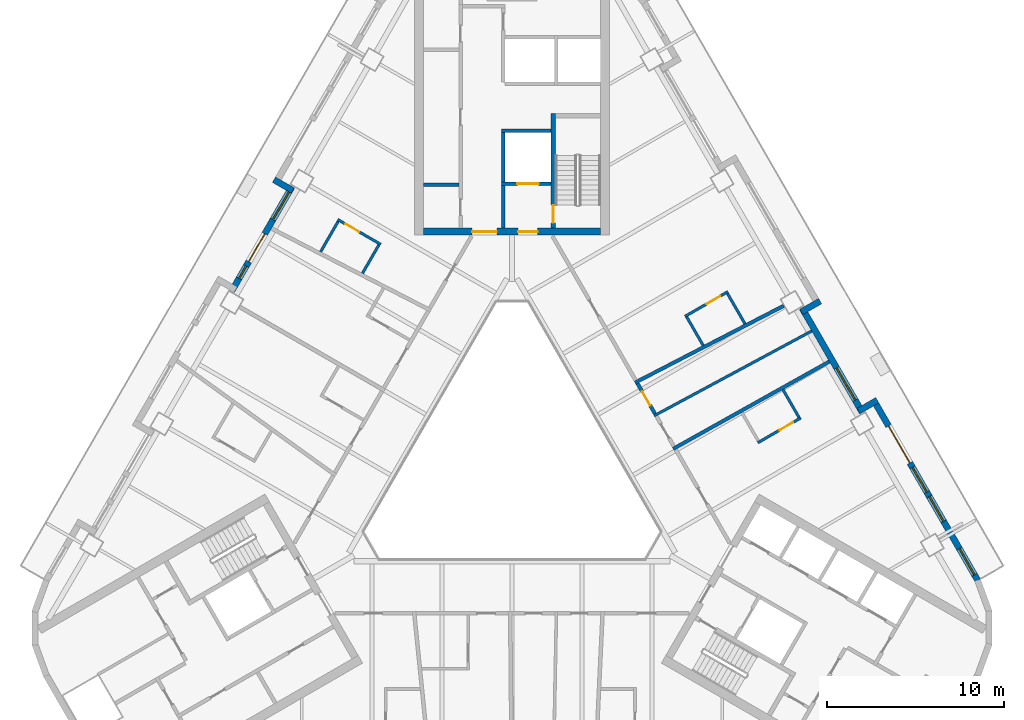
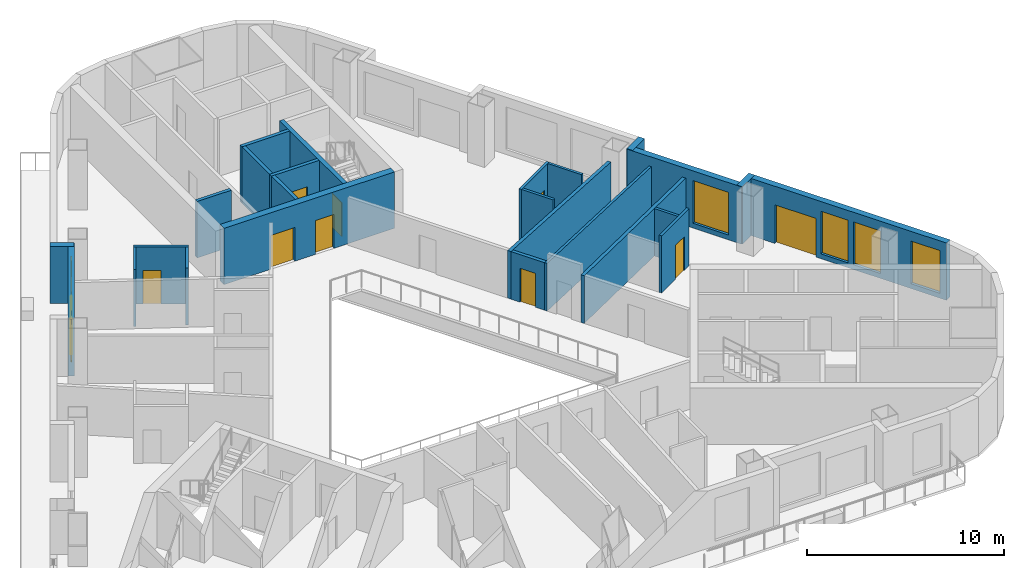
# One storey, part 6 of 14: 25 walls, 10 doors, 6 windows, 16 openings.
"""IFC4 building model written with IfcOpenShell, lengths in metres."""

from ifc_helpers import new_model, si_unit, direction, frame, frame_2d, origin, place, context, subcontext, project, spatial, rectangle, extrude, material, layer, layer_set, type_object, element, fill, save


model = new_model("IFC4")

# Units and contexts
model_context = context("Model", 3, precision=1e-05, world=origin(), true_north=direction((0.0, 1.0)))
body_context = subcontext(model_context, "Body", "Model", "MODEL_VIEW")
ifc_project = project(units=[si_unit("LENGTHUNIT", "METRE"), si_unit("AREAUNIT", "SQUARE_METRE"), si_unit("VOLUMEUNIT", "CUBIC_METRE"), si_unit("PLANEANGLEUNIT", "RADIAN"), si_unit("MASSUNIT", "GRAM", prefix="KILO")], contexts=[model_context])

# Site, building, storey
site_placement = place(None, origin())
site = spatial("IfcSite", under=ifc_project, at=site_placement, CompositionType="ELEMENT")
building_placement = place(site_placement, origin())
building = spatial("IfcBuilding", under=site, at=building_placement, Name="Apuvela Tower Hotel", CompositionType="ELEMENT")
storey_placement = place(building_placement, frame((0.0, 0.0, 72.39990234375)))
storey = spatial("IfcBuildingStorey", under=building, at=storey_placement, Name="L15", CompositionType="ELEMENT", Elevation=72.39990234375)

# Wall, openings, doors
ifc_material_1 = material(Name="Concrete C50/60", Category="concrete")
ifc_layer_1 = layer(ifc_material_1, 0.39990234375)
ifc_layer_set_1 = layer_set([ifc_layer_1], Name="COR-WALL-CORE-400")
wall_type_1 = type_object("IfcWallType", Name="COR-WALL-CORE-400", PredefinedType="SHEAR", material=ifc_layer_set_1)
wall_1_placement = place(storey_placement, frame((5.0, 13.10009765625, 0.0), z_axis=(0.0, 0.0, 1.0), x_axis=(-1.0, 0.0, 0.0)))
wall_1 = element("IfcWall", 1, at=wall_1_placement, inside=storey, type_object=wall_type_1, Name="Core wall N", PredefinedType="SHEAR", context=body_context, shape_type="SweptSolid", body=[
    extrude(rectangle(XDim=10.0, YDim=0.39990234375, at=frame_2d((5.0, 0.0))), origin(), (0.0, 0.0, 1.0), 3.5),
])
opening_1_placement = place(wall_1_placement, frame((3.550048828125, 0.0, 0.0)))
opening_1 = element("IfcOpeningElement", 2, at=opening_1_placement, cuts=wall_1, Name="Opening N-FD", PredefinedType="OPENING", context=body_context, shape_type="SweptSolid", body=[
    extrude(rectangle(XDim=1.10009765625, YDim=2.10009765625, at=frame_2d((0.550048828125, 1.050048828125))), frame((0.0, 0.2099609375, 0.0), z_axis=(0.0, -1.0, 0.0), x_axis=(1.0, 0.0, 0.0)), (0.0, 0.0, 1.0), 0.419921875),
])
opening_2_placement = place(wall_1_placement, frame((5.85009765625, 0.0, 0.0)))
opening_2 = element("IfcOpeningElement", 3, at=opening_2_placement, cuts=wall_1, Name="Opening N-GD", PredefinedType="OPENING", context=body_context, shape_type="SweptSolid", body=[
    extrude(rectangle(XDim=1.39990234375, YDim=2.10009765625, at=frame_2d((0.699951171875, 1.050048828125))), frame((0.0, 0.2099609375, 0.0), z_axis=(0.0, -1.0, 0.0), x_axis=(1.0, 0.0, 0.0)), (0.0, 0.0, 1.0), 0.419921875),
])
ifc_material_2 = material(Name="Steel fire door, powder coated", Category="steel")
door_type_1 = type_object("IfcDoorType", Name="COR-FD-1100", OperationType="NOTDEFINED", PredefinedType="DOOR", material=ifc_material_2)
door_1_placement = place(opening_1_placement, frame((1.10009765625, 0.0, 0.0), z_axis=(0.0, 0.0, 1.0), x_axis=(-1.0, 0.0, 0.0)))
door_1 = element("IfcDoor", 4, at=door_1_placement, inside=storey, type_object=door_type_1, Name="Firefighting lobby door N-FD", OperationType="SINGLE_SWING_LEFT", OverallHeight=2.10009765625, OverallWidth=1.10009765625, PredefinedType="DOOR", context=body_context, shape_type="SweptSolid", body=[
    extrude(rectangle(XDim=1.10009765625, YDim=2.10009765625, at=frame_2d((0.550048828125, 1.050048828125))), frame((0.0, 0.02490234375, 0.0), z_axis=(0.0, -1.0, 0.0), x_axis=(1.0, 0.0, 0.0)), (0.0, 0.0, 1.0), 0.050048828125),
])
fill(opening_1, door_1)
ifc_material_3 = material(Name="Glazed steel fire door", Category="steel")
door_type_2 = type_object("IfcDoorType", Name="COR-GD-1400", OperationType="DOUBLE_DOOR_SINGLE_SWING", PredefinedType="DOOR", material=ifc_material_3)
door_2_placement = place(opening_2_placement, frame((1.39990234375, 0.0, 0.0), z_axis=(0.0, 0.0, 1.0), x_axis=(-1.0, 0.0, 0.0)))
door_2 = element("IfcDoor", 5, at=door_2_placement, inside=storey, type_object=door_type_2, Name="Lift lobby door N-GD", OperationType="DOUBLE_DOOR_SINGLE_SWING", OverallHeight=2.10009765625, OverallWidth=1.39990234375, PredefinedType="DOOR", context=body_context, shape_type="SweptSolid", body=[
    extrude(rectangle(XDim=1.39990234375, YDim=2.10009765625, at=frame_2d((0.699951171875, 1.050048828125))), frame((0.0, 0.02490234375, 0.0), z_axis=(0.0, -1.0, 0.0), x_axis=(1.0, 0.0, 0.0)), (0.0, 0.0, 1.0), 0.050048828125),
])
fill(opening_2, door_2)

# Wall
ifc_layer_2 = layer(ifc_material_1, 0.199951171875)
ifc_layer_set_2 = layer_set([ifc_layer_2], Name="COR-WALL-SHAFT-200")
wall_type_2 = type_object("IfcWallType", Name="COR-WALL-SHAFT-200", PredefinedType="SHEAR", material=ifc_layer_set_2)
wall_2_placement = place(storey_placement, frame((2.199951171875, 18.800048828125, 0.0), z_axis=(0.0, 0.0, 1.0), x_axis=(-1.0, 0.0, 0.0)))
element("IfcWall", 6, at=wall_2_placement, inside=storey, type_object=wall_type_2, Name="Shaft wall N", PredefinedType="SHEAR", context=body_context, shape_type="SweptSolid", body=[
    extrude(rectangle(XDim=2.800048828125, YDim=0.199951171875, at=frame_2d((1.39990234375, 0.0))), origin(), (0.0, 0.0, 1.0), 3.5),
])

# Wall, opening, door
wall_3_placement = place(storey_placement, frame((2.199951171875, 15.800048828125, 0.0), z_axis=(0.0, 0.0, 1.0), x_axis=(-1.0, 0.0, 0.0)))
wall_3 = element("IfcWall", 7, at=wall_3_placement, inside=storey, type_object=wall_type_2, Name="Shaft wall N", PredefinedType="SHEAR", context=body_context, shape_type="SweptSolid", body=[
    extrude(rectangle(XDim=2.800048828125, YDim=0.199951171875, at=frame_2d((1.39990234375, 0.0))), origin(), (0.0, 0.0, 1.0), 3.5),
])
opening_3_placement = place(wall_3_placement, frame((0.699951171875, 0.0, 0.0)))
opening_3 = element("IfcOpeningElement", 8, at=opening_3_placement, cuts=wall_3, Name="Opening N-LD-FS1", PredefinedType="OPENING", context=body_context, shape_type="SweptSolid", body=[
    extrude(rectangle(XDim=1.199951171875, YDim=2.10009765625, at=frame_2d((0.60009765625, 1.050048828125))), frame((0.0, 0.10986328125, 0.0), z_axis=(0.0, -1.0, 0.0), x_axis=(1.0, 0.0, 0.0)), (0.0, 0.0, 1.0), 0.219970703125),
])
ifc_material_4 = material(Name="Stainless steel lift landing door", Category="steel")
door_type_3 = type_object("IfcDoorType", Name="COR-LD-1200", OperationType="DOUBLE_DOOR_SLIDING", PredefinedType="DOOR", material=ifc_material_4)
door_3_placement = place(opening_3_placement, origin())
door_3 = element("IfcDoor", 9, at=door_3_placement, inside=storey, type_object=door_type_3, Name="Lift landing door N-LD-FS1", OperationType="DOUBLE_DOOR_SLIDING", OverallHeight=2.10009765625, OverallWidth=1.199951171875, PredefinedType="DOOR", context=body_context, shape_type="SweptSolid", body=[
    extrude(rectangle(XDim=1.199951171875, YDim=2.10009765625, at=frame_2d((0.60009765625, 1.050048828125))), frame((0.0, 0.02490234375, 0.0), z_axis=(0.0, -1.0, 0.0), x_axis=(1.0, 0.0, 0.0)), (0.0, 0.0, 1.0), 0.050048828125),
])
fill(opening_3, door_3)

# Walls
wall_4_placement = place(storey_placement, frame((-0.5, 15.89990234375, 0.0), z_axis=(0.0, 0.0, 1.0), x_axis=(0.0, 1.0, 0.0)))
element("IfcWall", 10, at=wall_4_placement, inside=storey, type_object=wall_type_2, Name="Shaft wall N", PredefinedType="SHEAR", context=body_context, shape_type="SweptSolid", body=[
    extrude(rectangle(XDim=2.800048828125, YDim=0.199951171875, at=frame_2d((1.39990234375, 0.0))), origin(), (0.0, 0.0, 1.0), 3.5),
])
wall_5_placement = place(storey_placement, frame((-0.5, 13.300048828125, 0.0), z_axis=(0.0, 0.0, 1.0), x_axis=(0.0, 1.0, 0.0)))
element("IfcWall", 11, at=wall_5_placement, inside=storey, type_object=wall_type_2, Name="Shaft wall N", PredefinedType="SHEAR", context=body_context, shape_type="SweptSolid", body=[
    extrude(rectangle(XDim=2.39990234375, YDim=0.199951171875, at=frame_2d((1.199951171875, 0.0))), origin(), (0.0, 0.0, 1.0), 3.5),
])
wall_6_placement = place(storey_placement, frame((-3.0, 15.739990234375, 0.0), z_axis=(0.0, 0.0, 1.0), x_axis=(-1.0, 0.0, 0.0)))
element("IfcWall", 12, at=wall_6_placement, inside=storey, type_object=wall_type_2, Name="Shaft wall N", PredefinedType="SHEAR", context=body_context, shape_type="SweptSolid", body=[
    extrude(rectangle(XDim=2.0, YDim=0.199951171875, at=frame_2d((1.0, 0.0))), origin(), (0.0, 0.0, 1.0), 3.5),
])

# Wall, opening, door
ifc_layer_3 = layer(ifc_material_1, 0.25)
ifc_layer_set_3 = layer_set([ifc_layer_3], Name="COR-WALL-STAIR-250")
wall_type_3 = type_object("IfcWallType", Name="COR-WALL-STAIR-250", PredefinedType="SHEAR", material=ifc_layer_set_3)
wall_7_placement = place(storey_placement, frame((2.324951171875, 13.300048828125, 0.0), z_axis=(0.0, 0.0, 1.0), x_axis=(0.0, 1.0, 0.0)))
wall_7 = element("IfcWall", 13, at=wall_7_placement, inside=storey, type_object=wall_type_3, Name="Stair wall N", PredefinedType="SHEAR", context=body_context, shape_type="SweptSolid", body=[
    extrude(rectangle(XDim=6.449951171875, YDim=0.25, at=frame_2d((3.22509765625, 0.0))), origin(), (0.0, 0.0, 1.0), 3.5),
])
opening_4_placement = place(wall_7_placement, frame((0.300048828125, 0.0, 0.0)))
opening_4 = element("IfcOpeningElement", 14, at=opening_4_placement, cuts=wall_7, Name="Opening N-SD", PredefinedType="OPENING", context=body_context, shape_type="SweptSolid", body=[
    extrude(rectangle(XDim=1.0, YDim=2.10009765625, at=frame_2d((0.5, 1.050048828125))), frame((0.0, 0.135009765625, 0.0), z_axis=(0.0, -1.0, 0.0), x_axis=(1.0, 0.0, 0.0)), (0.0, 0.0, 1.0), 0.27001953125),
])
door_type_4 = type_object("IfcDoorType", Name="COR-SD-1000", OperationType="NOTDEFINED", PredefinedType="DOOR", material=ifc_material_2)
door_4_placement = place(opening_4_placement, frame((1.0, 0.0, 0.0), z_axis=(0.0, 0.0, 1.0), x_axis=(-1.0, 0.0, 0.0)))
door_4 = element("IfcDoor", 15, at=door_4_placement, inside=storey, type_object=door_type_4, Name="Stair door N-SD", OperationType="SINGLE_SWING_LEFT", OverallHeight=2.10009765625, OverallWidth=1.0, PredefinedType="DOOR", context=body_context, shape_type="SweptSolid", body=[
    extrude(rectangle(XDim=1.0, YDim=2.10009765625, at=frame_2d((0.5, 1.050048828125))), frame((0.0, 0.02490234375, 0.0), z_axis=(0.0, -1.0, 0.0), x_axis=(1.0, 0.0, 0.0)), (0.0, 0.0, 1.0), 0.050048828125),
])
fill(opening_4, door_4)

# Wall
ifc_material_5 = material(Name="Concrete C40/50, dark pigmented precast panel", Category="concrete")
ifc_layer_4 = layer(ifc_material_5, 0.35009765625)
ifc_layer_set_4 = layer_set([ifc_layer_4], Name="ENV-WALL-350")
wall_type_4 = type_object("IfcWallType", Name="ENV-WALL-350", PredefinedType="SOLIDWALL", material=ifc_layer_set_4)
wall_8_placement = place(storey_placement, frame((-13.41259765625, 16.02880859375, 0.0), z_axis=(0.0, 0.0, 1.0), x_axis=(0.866005645448, -0.500034220881, 0.0)))
element("IfcWall", 16, at=wall_8_placement, inside=storey, type_object=wall_type_4, Name="External wall L15-02", PredefinedType="SOLIDWALL", context=body_context, shape_type="SweptSolid", body=[
    extrude(rectangle(XDim=1.22021484375, YDim=0.35009765625, at=frame_2d((0.610107421875, 0.0))), origin(), (0.0, 0.0, 1.0), 3.550048828125),
])

# Wall, openings, door, windows
wall_9_placement = place(storey_placement, frame((-12.408935546875, 15.616943359375, 0.0), z_axis=(0.0, 0.0, 1.0), x_axis=(-0.500003597184, -0.866023326939, 0.0)))
wall_9 = element("IfcWall", 17, at=wall_9_placement, inside=storey, type_object=wall_type_4, Name="External wall L15-03", PredefinedType="SOLIDWALL", context=body_context, shape_type="SweptSolid", body=[
    extrude(rectangle(XDim=6.740234375, YDim=0.35009765625, at=frame_2d((3.3701171875, 0.0))), origin(), (0.0, 0.0, 1.0), 3.550048828125),
])
opening_5_placement = place(wall_9_placement, frame((0.3203125, 0.0, 0.300048828125)))
opening_5 = element("IfcOpeningElement", 18, at=opening_5_placement, cuts=wall_9, Name="Opening WN18", PredefinedType="OPENING", context=body_context, shape_type="SweptSolid", body=[
    extrude(rectangle(XDim=1.800048828125, YDim=2.64990234375, at=frame_2d((0.89990234375, 1.324951171875))), frame((0.0, 0.18505859375, 0.0), z_axis=(0.0, -1.0, 0.0), x_axis=(1.0, 0.0, 0.0)), (0.0, 0.0, 1.0), 0.3701171875),
])
opening_6_placement = place(wall_9_placement, frame((3.046875, 0.0, 0.0)))
opening_6 = element("IfcOpeningElement", 19, at=opening_6_placement, cuts=wall_9, Name="Opening BD18", PredefinedType="OPENING", context=body_context, shape_type="SweptSolid", body=[
    extrude(rectangle(XDim=1.800048828125, YDim=2.39990234375, at=frame_2d((0.89990234375, 1.199951171875))), frame((0.0, 0.18505859375, 0.0), z_axis=(0.0, -1.0, 0.0), x_axis=(1.0, 0.0, 0.0)), (0.0, 0.0, 1.0), 0.3701171875),
])
opening_7_placement = place(wall_9_placement, frame((5.146728515625, 0.0, 0.300048828125)))
opening_7 = element("IfcOpeningElement", 20, at=opening_7_placement, cuts=wall_9, Name="Opening WN08", PredefinedType="OPENING", context=body_context, shape_type="SweptSolid", body=[
    extrude(rectangle(XDim=0.800048828125, YDim=2.64990234375, at=frame_2d((0.39990234375, 1.324951171875))), frame((0.0, 0.18505859375, 0.0), z_axis=(0.0, -1.0, 0.0), x_axis=(1.0, 0.0, 0.0)), (0.0, 0.0, 1.0), 0.3701171875),
])
ifc_material_6 = material(Name="Aluminium 6063-T6, dark bronze anodised frame with dark tinted laminated glass", Category="aluminium")
door_type_5 = type_object("IfcDoorType", Name="ENV-DOOR-BALCONY-1800x2400", OperationType="SLIDING_TO_LEFT", PredefinedType="DOOR", material=ifc_material_6)
door_5_placement = place(opening_6_placement, frame((1.800048828125, 0.0, 0.0), z_axis=(0.0, 0.0, 1.0), x_axis=(-1.0, 0.0, 0.0)))
door_5 = element("IfcDoor", 21, at=door_5_placement, inside=storey, type_object=door_type_5, Name="Balcony door BD18", OperationType="SLIDING_TO_LEFT", OverallHeight=2.39990234375, OverallWidth=1.800048828125, PredefinedType="DOOR", context=body_context, shape_type="SweptSolid", body=[
    extrude(rectangle(XDim=1.800048828125, YDim=2.39990234375, at=frame_2d((0.89990234375, 1.199951171875))), frame((0.0, 0.02490234375, 0.0), z_axis=(0.0, -1.0, 0.0), x_axis=(1.0, 0.0, 0.0)), (0.0, 0.0, 1.0), 0.050048828125),
])
fill(opening_6, door_5)
ifc_material_7 = material(Name="Glass, dark tinted laminated insulated glazing unit", Category="glass")
window_type_1 = type_object("IfcWindowType", Name="ENV-WIN-1800x2650", PartitioningType="SINGLE_PANEL", PredefinedType="WINDOW", material=ifc_material_7)
window_1_placement = place(opening_5_placement, origin())
window_1 = element("IfcWindow", 22, at=window_1_placement, inside=storey, type_object=window_type_1, Name="Window WN18", OverallHeight=2.64990234375, OverallWidth=1.800048828125, PartitioningType="SINGLE_PANEL", PredefinedType="WINDOW", context=body_context, shape_type="SweptSolid", body=[
    extrude(rectangle(XDim=1.800048828125, YDim=2.64990234375, at=frame_2d((0.89990234375, 1.324951171875))), frame((0.0, 0.030029296875, 0.0), z_axis=(0.0, -1.0, 0.0), x_axis=(1.0, 0.0, 0.0)), (0.0, 0.0, 1.0), 0.06005859375),
])
fill(opening_5, window_1)
window_type_2 = type_object("IfcWindowType", Name="ENV-WIN-800x2650", PartitioningType="SINGLE_PANEL", PredefinedType="WINDOW", material=ifc_material_7)
window_2_placement = place(opening_7_placement, origin())
window_2 = element("IfcWindow", 23, at=window_2_placement, inside=storey, type_object=window_type_2, Name="Window WN08", OverallHeight=2.64990234375, OverallWidth=0.800048828125, PartitioningType="SINGLE_PANEL", PredefinedType="WINDOW", context=body_context, shape_type="SweptSolid", body=[
    extrude(rectangle(XDim=0.800048828125, YDim=2.64990234375, at=frame_2d((0.39990234375, 1.324951171875))), frame((0.0, 0.030029296875, 0.0), z_axis=(0.0, -1.0, 0.0), x_axis=(1.0, 0.0, 0.0)), (0.0, 0.0, 1.0), 0.06005859375),
])
fill(opening_7, window_2)

wall_10_placement = place(storey_placement, frame((26.256591796875, -6.5673828125, 0.0), z_axis=(0.0, 0.0, 1.0), x_axis=(-0.500023526245, 0.866011820475, 0.0)))
wall_10 = element("IfcWall", 24, at=wall_10_placement, inside=storey, type_object=wall_type_4, Name="External wall L15-33", PredefinedType="SOLIDWALL", context=body_context, shape_type="SweptSolid", body=[
    extrude(rectangle(XDim=11.81591796875, YDim=0.35009765625, at=frame_2d((5.907958984375, 0.0))), origin(), (0.0, 0.0, 1.0), 3.550048828125),
])
opening_8_placement = place(wall_10_placement, frame((0.380126953125, 0.0, 0.300048828125)))
opening_8 = element("IfcOpeningElement", 25, at=opening_8_placement, cuts=wall_10, Name="Opening WN17", PredefinedType="OPENING", context=body_context, shape_type="SweptSolid", body=[
    extrude(rectangle(XDim=1.699951171875, YDim=2.64990234375, at=frame_2d((0.85009765625, 1.324951171875))), frame((0.0, 0.18505859375, 0.0), z_axis=(0.0, -1.0, 0.0), x_axis=(1.0, 0.0, 0.0)), (0.0, 0.0, 1.0), 0.3701171875),
])
opening_9_placement = place(wall_10_placement, frame((7.666015625, 0.0, 0.0)))
opening_9 = element("IfcOpeningElement", 26, at=opening_9_placement, cuts=wall_10, Name="Opening BD24", PredefinedType="OPENING", context=body_context, shape_type="SweptSolid", body=[
    extrude(rectangle(XDim=2.39990234375, YDim=2.39990234375, at=frame_2d((1.199951171875, 1.199951171875))), frame((0.0, 0.18505859375, 0.0), z_axis=(0.0, -1.0, 0.0), x_axis=(1.0, 0.0, 0.0)), (0.0, 0.0, 1.0), 0.3701171875),
])
opening_10_placement = place(wall_10_placement, frame((3.865234375, 0.0, 0.300048828125)))
opening_10 = element("IfcOpeningElement", 27, at=opening_10_placement, cuts=wall_10, Name="Opening WN16", PredefinedType="OPENING", context=body_context, shape_type="SweptSolid", body=[
    extrude(rectangle(XDim=1.60009765625, YDim=2.64990234375, at=frame_2d((0.800048828125, 1.324951171875))), frame((0.0, 0.18505859375, 0.0), z_axis=(0.0, -1.0, 0.0), x_axis=(1.0, 0.0, 0.0)), (0.0, 0.0, 1.0), 0.3701171875),
])
opening_11_placement = place(wall_10_placement, frame((5.765380859375, 0.0, 0.300048828125)))
opening_11 = element("IfcOpeningElement", 28, at=opening_11_placement, cuts=wall_10, Name="Opening WN16", PredefinedType="OPENING", context=body_context, shape_type="SweptSolid", body=[
    extrude(rectangle(XDim=1.60009765625, YDim=2.64990234375, at=frame_2d((0.800048828125, 1.324951171875))), frame((0.0, 0.18505859375, 0.0), z_axis=(0.0, -1.0, 0.0), x_axis=(1.0, 0.0, 0.0)), (0.0, 0.0, 1.0), 0.3701171875),
])
door_type_6 = type_object("IfcDoorType", Name="ENV-DOOR-BALCONY-2400x2400", OperationType="SLIDING_TO_LEFT", PredefinedType="DOOR", material=ifc_material_6)
door_6_placement = place(opening_9_placement, frame((2.39990234375, 0.0, 0.0), z_axis=(0.0, 0.0, 1.0), x_axis=(-1.0, 0.0, 0.0)))
door_6 = element("IfcDoor", 29, at=door_6_placement, inside=storey, type_object=door_type_6, Name="Balcony door BD24", OperationType="SLIDING_TO_LEFT", OverallHeight=2.39990234375, OverallWidth=2.39990234375, PredefinedType="DOOR", context=body_context, shape_type="SweptSolid", body=[
    extrude(rectangle(XDim=2.39990234375, YDim=2.39990234375, at=frame_2d((1.199951171875, 1.199951171875))), frame((0.0, 0.02490234375, 0.0), z_axis=(0.0, -1.0, 0.0), x_axis=(1.0, 0.0, 0.0)), (0.0, 0.0, 1.0), 0.050048828125),
])
fill(opening_9, door_6)
window_type_3 = type_object("IfcWindowType", Name="ENV-WIN-1600x2650", PartitioningType="SINGLE_PANEL", PredefinedType="WINDOW", material=ifc_material_7)
window_3_placement = place(opening_10_placement, origin())
window_3 = element("IfcWindow", 30, at=window_3_placement, inside=storey, type_object=window_type_3, Name="Window WN16", OverallHeight=2.64990234375, OverallWidth=1.60009765625, PartitioningType="SINGLE_PANEL", PredefinedType="WINDOW", context=body_context, shape_type="SweptSolid", body=[
    extrude(rectangle(XDim=1.60009765625, YDim=2.64990234375, at=frame_2d((0.800048828125, 1.324951171875))), frame((0.0, 0.030029296875, 0.0), z_axis=(0.0, -1.0, 0.0), x_axis=(1.0, 0.0, 0.0)), (0.0, 0.0, 1.0), 0.06005859375),
])
fill(opening_10, window_3)
window_4_placement = place(opening_11_placement, origin())
window_4 = element("IfcWindow", 31, at=window_4_placement, inside=storey, type_object=window_type_3, Name="Window WN16", OverallHeight=2.64990234375, OverallWidth=1.60009765625, PartitioningType="SINGLE_PANEL", PredefinedType="WINDOW", context=body_context, shape_type="SweptSolid", body=[
    extrude(rectangle(XDim=1.60009765625, YDim=2.64990234375, at=frame_2d((0.800048828125, 1.324951171875))), frame((0.0, 0.030029296875, 0.0), z_axis=(0.0, -1.0, 0.0), x_axis=(1.0, 0.0, 0.0)), (0.0, 0.0, 1.0), 0.06005859375),
])
fill(opening_11, window_4)
window_type_4 = type_object("IfcWindowType", Name="ENV-WIN-1700x2650", PartitioningType="SINGLE_PANEL", PredefinedType="WINDOW", material=ifc_material_7)
window_5_placement = place(opening_8_placement, origin())
window_5 = element("IfcWindow", 32, at=window_5_placement, inside=storey, type_object=window_type_4, Name="Window WN17", OverallHeight=2.64990234375, OverallWidth=1.699951171875, PartitioningType="SINGLE_PANEL", PredefinedType="WINDOW", context=body_context, shape_type="SweptSolid", body=[
    extrude(rectangle(XDim=1.699951171875, YDim=2.64990234375, at=frame_2d((0.85009765625, 1.324951171875))), frame((0.0, 0.030029296875, 0.0), z_axis=(0.0, -1.0, 0.0), x_axis=(1.0, 0.0, 0.0)), (0.0, 0.0, 1.0), 0.06005859375),
])
fill(opening_8, window_5)

# Wall
wall_11_placement = place(storey_placement, frame((20.587646484375, 3.601318359375, 0.0), z_axis=(0.0, 0.0, 1.0), x_axis=(-0.866005645448, -0.500034220881, 0.0)))
element("IfcWall", 33, at=wall_11_placement, inside=storey, type_object=wall_type_4, Name="External wall L15-34", PredefinedType="SOLIDWALL", context=body_context, shape_type="SweptSolid", body=[
    extrude(rectangle(XDim=1.22021484375, YDim=0.35009765625, at=frame_2d((0.610107421875, 0.0))), origin(), (0.0, 0.0, 1.0), 3.550048828125),
])

# Wall, opening, window
wall_12_placement = place(storey_placement, frame((19.72900390625, 2.93798828125, 0.0), z_axis=(0.0, 0.0, 1.0), x_axis=(-0.499976430342, 0.866039011305, 0.0)))
wall_12 = element("IfcWall", 34, at=wall_12_placement, inside=storey, type_object=wall_type_4, Name="External wall L15-35", PredefinedType="SOLIDWALL", context=body_context, shape_type="SweptSolid", body=[
    extrude(rectangle(XDim=6.739990234375, YDim=0.35009765625, at=frame_2d((3.3701171875, 0.0))), origin(), (0.0, 0.0, 1.0), 3.550048828125),
])
opening_12_placement = place(wall_12_placement, frame((0.77001953125, 0.0, 0.300048828125)))
opening_12 = element("IfcOpeningElement", 35, at=opening_12_placement, cuts=wall_12, Name="Opening WN21", PredefinedType="OPENING", context=body_context, shape_type="SweptSolid", body=[
    extrude(rectangle(XDim=2.10009765625, YDim=2.64990234375, at=frame_2d((1.050048828125, 1.324951171875))), frame((0.0, 0.18505859375, 0.0), z_axis=(0.0, -1.0, 0.0), x_axis=(1.0, 0.0, 0.0)), (0.0, 0.0, 1.0), 0.3701171875),
])
window_type_5 = type_object("IfcWindowType", Name="ENV-WIN-2100x2650", PartitioningType="SINGLE_PANEL", PredefinedType="WINDOW", material=ifc_material_7)
window_6_placement = place(opening_12_placement, origin())
window_6 = element("IfcWindow", 36, at=window_6_placement, inside=storey, type_object=window_type_5, Name="Window WN21", OverallHeight=2.64990234375, OverallWidth=2.10009765625, PartitioningType="SINGLE_PANEL", PredefinedType="WINDOW", context=body_context, shape_type="SweptSolid", body=[
    extrude(rectangle(XDim=2.10009765625, YDim=2.64990234375, at=frame_2d((1.050048828125, 1.324951171875))), frame((0.0, 0.030029296875, 0.0), z_axis=(0.0, -1.0, 0.0), x_axis=(1.0, 0.0, 0.0)), (0.0, 0.0, 1.0), 0.06005859375),
])
fill(opening_12, window_6)

# Walls
wall_13_placement = place(storey_placement, frame((16.305908203125, 8.5771484375, 0.0), z_axis=(0.0, 0.0, 1.0), x_axis=(0.866092288191, 0.499884134912, 0.0)))
element("IfcWall", 37, at=wall_13_placement, inside=storey, type_object=wall_type_4, Name="External wall L15-36", PredefinedType="SOLIDWALL", context=body_context, shape_type="SweptSolid", body=[
    extrude(rectangle(XDim=1.219970703125, YDim=0.35009765625, at=frame_2d((0.60986328125, 0.0))), origin(), (0.0, 0.0, 1.0), 3.550048828125),
])
ifc_material_8 = material(Name="Gypsum board partition on twin steel stud", Category="steel")
ifc_layer_5 = layer(ifc_material_8, 0.199951171875)
ifc_layer_set_5 = layer_set([ifc_layer_5], Name="GST-PW1")
wall_type_5 = type_object("IfcWallType", Name="GST-PW1", PredefinedType="PARTITIONING", material=ifc_layer_set_5)
wall_14_placement = place(storey_placement, frame((17.88623046875, 5.780029296875, 0.0), z_axis=(0.0, 0.0, 1.0), x_axis=(-0.872898889426, -0.487901146585, 0.0)))
element("IfcWall", 38, at=wall_14_placement, inside=storey, type_object=wall_type_5, Name="L15 partition 04", PredefinedType="PARTITIONING", context=body_context, shape_type="SweptSolid", body=[
    extrude(rectangle(XDim=10.080810546875, YDim=0.199951171875, at=frame_2d((5.04052734375, 0.0))), origin(), (0.0, 0.0, 1.0), 2.9501953125),
])
wall_15_placement = place(storey_placement, frame((15.318603515625, 8.92724609375, 0.0), z_axis=(0.0, 0.0, 1.0), x_axis=(-0.888261672675, -0.459337785139, 0.0)))
element("IfcWall", 39, at=wall_15_placement, inside=storey, type_object=wall_type_5, Name="L15 partition 05", PredefinedType="PARTITIONING", context=body_context, shape_type="SweptSolid", body=[
    extrude(rectangle(XDim=9.440185546875, YDim=0.199951171875, at=frame_2d((4.72021484375, 0.0))), origin(), (0.0, 0.0, 1.0), 2.9501953125),
])

# Wall, opening, door
ifc_material_9 = material(Name="Gypsum board corridor wall on twin steel stud, acoustic", Category="steel")
ifc_layer_6 = layer(ifc_material_9, 0.199951171875)
ifc_layer_set_6 = layer_set([ifc_layer_6], Name="GST-PW2")
wall_type_6 = type_object("IfcWallType", Name="GST-PW2", PredefinedType="PARTITIONING", material=ifc_layer_set_6)
wall_16_placement = place(storey_placement, frame((7.072265625, 4.55029296875, 0.0), z_axis=(0.0, 0.0, 1.0), x_axis=(0.500018274647, -0.866014852655, 0.0)))
wall_16 = element("IfcWall", 40, at=wall_16_placement, inside=storey, type_object=wall_type_6, Name="L15 partition 29", PredefinedType="PARTITIONING", context=body_context, shape_type="SweptSolid", body=[
    extrude(rectangle(XDim=1.9765625, YDim=0.199951171875, at=frame_2d((0.98828125, 0.0))), origin(), (0.0, 0.0, 1.0), 2.9501953125),
])
opening_13_placement = place(wall_16_placement, frame((0.538330078125, 0.0, 0.0)))
opening_13 = element("IfcOpeningElement", 41, at=opening_13_placement, cuts=wall_16, Name="Opening GD04-12", PredefinedType="OPENING", context=body_context, shape_type="SweptSolid", body=[
    extrude(rectangle(XDim=0.89990234375, YDim=2.10009765625, at=frame_2d((0.449951171875, 1.050048828125))), frame((0.0, 0.10986328125, 0.0), z_axis=(0.0, -1.0, 0.0), x_axis=(1.0, 0.0, 0.0)), (0.0, 0.0, 1.0), 0.219970703125),
])
ifc_material_10 = material(Name="Timber door leaf in steel frame", Category="steel")
door_type_7 = type_object("IfcDoorType", Name="GST-D2", OperationType="NOTDEFINED", PredefinedType="DOOR", material=ifc_material_10)
door_7_placement = place(opening_13_placement, origin())
door_7 = element("IfcDoor", 42, at=door_7_placement, inside=storey, type_object=door_type_7, Name="Door L15-12", OperationType="SINGLE_SWING_RIGHT", OverallHeight=2.10009765625, OverallWidth=0.89990234375, PredefinedType="DOOR", context=body_context, shape_type="SweptSolid", body=[
    extrude(rectangle(XDim=0.89990234375, YDim=2.10009765625, at=frame_2d((0.449951171875, 1.050048828125))), frame((0.0, 0.02490234375, 0.0), z_axis=(0.0, -1.0, 0.0), x_axis=(1.0, 0.0, 0.0)), (0.0, 0.0, 1.0), 0.050048828125),
])
fill(opening_13, door_7)

ifc_material_11 = material(Name="Moisture-resistant gypsum board wet wall on steel stud", Category="steel")
ifc_layer_7 = layer(ifc_material_11, 0.14990234375)
ifc_layer_set_7 = layer_set([ifc_layer_7], Name="GST-PW3")
wall_type_7 = type_object("IfcWallType", Name="GST-PW3", PredefinedType="PARTITIONING", material=ifc_layer_set_7)
wall_17_placement = place(storey_placement, frame((13.852783203125, 1.2060546875, 0.0), z_axis=(0.0, 0.0, 1.0), x_axis=(0.866056369097, 0.49994636267, 0.0)))
wall_17 = element("IfcWall", 43, at=wall_17_placement, inside=storey, type_object=wall_type_7, Name="L15 partition 24", PredefinedType="PARTITIONING", context=body_context, shape_type="SweptSolid", body=[
    extrude(rectangle(XDim=2.800048828125, YDim=0.14990234375, at=frame_2d((1.39990234375, 0.0))), origin(), (0.0, 0.0, 1.0), 3.550048828125),
])
opening_14_placement = place(wall_17_placement, frame((1.39990234375, 0.0, 0.0)))
opening_14 = element("IfcOpeningElement", 44, at=opening_14_placement, cuts=wall_17, Name="Opening GD04-09", PredefinedType="OPENING", context=body_context, shape_type="SweptSolid", body=[
    extrude(rectangle(XDim=0.89990234375, YDim=2.10009765625, at=frame_2d((0.449951171875, 1.050048828125))), frame((0.0, 0.0849609375, 0.0), z_axis=(0.0, -1.0, 0.0), x_axis=(1.0, 0.0, 0.0)), (0.0, 0.0, 1.0), 0.169921875),
])
door_8_placement = place(opening_14_placement, origin())
door_8 = element("IfcDoor", 45, at=door_8_placement, inside=storey, type_object=door_type_7, Name="Door L15-09", OperationType="SINGLE_SWING_RIGHT", OverallHeight=2.10009765625, OverallWidth=0.89990234375, PredefinedType="DOOR", context=body_context, shape_type="SweptSolid", body=[
    extrude(rectangle(XDim=0.89990234375, YDim=2.10009765625, at=frame_2d((0.449951171875, 1.050048828125))), frame((0.0, 0.02490234375, 0.0), z_axis=(0.0, -1.0, 0.0), x_axis=(1.0, 0.0, 0.0)), (0.0, 0.0, 1.0), 0.050048828125),
])
fill(opening_14, door_8)

# Walls
wall_18_placement = place(storey_placement, frame((16.17529296875, 2.63330078125, 0.0), z_axis=(0.0, 0.0, 1.0), x_axis=(-0.499979029598, 0.866037510713, 0.0)))
element("IfcWall", 46, at=wall_18_placement, inside=storey, type_object=wall_type_7, Name="L15 partition 25", PredefinedType="PARTITIONING", context=body_context, shape_type="SweptSolid", body=[
    extrude(rectangle(XDim=1.81201171875, YDim=0.14990234375, at=frame_2d((0.906005859375, 0.0))), origin(), (0.0, 0.0, 1.0), 2.9501953125),
])
wall_19_placement = place(storey_placement, frame((16.8916015625, 7.503173828125, 0.0), z_axis=(0.0, 0.0, 1.0), x_axis=(-0.88070031641, -0.473673888531, 0.0)))
element("IfcWall", 47, at=wall_19_placement, inside=storey, type_object=wall_type_7, Name="L15 partition 27", PredefinedType="PARTITIONING", context=body_context, shape_type="SweptSolid", body=[
    extrude(rectangle(XDim=10.084716796875, YDim=0.14990234375, at=frame_2d((5.04248046875, 0.0))), origin(), (0.0, 0.0, 1.0), 2.960205078125),
])

# Wall, opening, door
wall_20_placement = place(storey_placement, frame((12.169189453125, 9.72216796875, 0.0), z_axis=(0.0, 0.0, 1.0), x_axis=(-0.865996816683, -0.500049511043, 0.0)))
wall_20 = element("IfcWall", 48, at=wall_20_placement, inside=storey, type_object=wall_type_7, Name="L15 partition 31", PredefinedType="PARTITIONING", context=body_context, shape_type="SweptSolid", body=[
    extrude(rectangle(XDim=2.800048828125, YDim=0.14990234375, at=frame_2d((1.39990234375, 0.0))), origin(), (0.0, 0.0, 1.0), 3.550048828125),
])
opening_15_placement = place(wall_20_placement, frame((0.5, 0.0, 0.0)))
opening_15 = element("IfcOpeningElement", 49, at=opening_15_placement, cuts=wall_20, Name="Opening GD04-13", PredefinedType="OPENING", context=body_context, shape_type="SweptSolid", body=[
    extrude(rectangle(XDim=0.89990234375, YDim=2.10009765625, at=frame_2d((0.449951171875, 1.050048828125))), frame((0.0, 0.0849609375, 0.0), z_axis=(0.0, -1.0, 0.0), x_axis=(1.0, 0.0, 0.0)), (0.0, 0.0, 1.0), 0.169921875),
])
door_9_placement = place(opening_15_placement, origin())
door_9 = element("IfcDoor", 50, at=door_9_placement, inside=storey, type_object=door_type_7, Name="Door L15-13", OperationType="SINGLE_SWING_LEFT", OverallHeight=2.10009765625, OverallWidth=0.89990234375, PredefinedType="DOOR", context=body_context, shape_type="SweptSolid", body=[
    extrude(rectangle(XDim=0.89990234375, YDim=2.10009765625, at=frame_2d((0.449951171875, 1.050048828125))), frame((0.0, 0.02490234375, 0.0), z_axis=(0.0, -1.0, 0.0), x_axis=(1.0, 0.0, 0.0)), (0.0, 0.0, 1.0), 0.050048828125),
])
fill(opening_15, door_9)

# Walls
wall_21_placement = place(storey_placement, frame((13.130126953125, 7.908203125, 0.0), z_axis=(0.0, 0.0, 1.0), x_axis=(-0.500071767444, 0.865983964866, 0.0)))
element("IfcWall", 51, at=wall_21_placement, inside=storey, type_object=wall_type_7, Name="L15 partition 32", PredefinedType="PARTITIONING", context=body_context, shape_type="SweptSolid", body=[
    extrude(rectangle(XDim=1.976318359375, YDim=0.14990234375, at=frame_2d((0.98828125, 0.0))), origin(), (0.0, 0.0, 1.0), 3.550048828125),
])
wall_22_placement = place(storey_placement, frame((10.773681640625, 6.689453125, 0.0), z_axis=(0.0, 0.0, 1.0), x_axis=(-0.499992292652, 0.866029853578, 0.0)))
element("IfcWall", 52, at=wall_22_placement, inside=storey, type_object=wall_type_7, Name="L15 partition 33", PredefinedType="PARTITIONING", context=body_context, shape_type="SweptSolid", body=[
    extrude(rectangle(XDim=1.853515625, YDim=0.14990234375, at=frame_2d((0.9267578125, 0.0))), origin(), (0.0, 0.0, 1.0), 3.550048828125),
])

# Wall, opening, door
wall_23_placement = place(storey_placement, frame((-7.398193359375, 12.385986328125, 0.0), z_axis=(0.0, 0.0, 1.0), x_axis=(-0.866034573852, 0.49998411664, 0.0)))
wall_23 = element("IfcWall", 53, at=wall_23_placement, inside=storey, type_object=wall_type_7, Name="L15 partition 35", PredefinedType="PARTITIONING", context=body_context, shape_type="SweptSolid", body=[
    extrude(rectangle(XDim=2.7998046875, YDim=0.14990234375, at=frame_2d((1.39990234375, 0.0))), origin(), (0.0, 0.0, 1.0), 3.550048828125),
])
opening_16_placement = place(wall_23_placement, frame((1.39990234375, 0.0, 0.0)))
opening_16 = element("IfcOpeningElement", 54, at=opening_16_placement, cuts=wall_23, Name="Opening GD04-15", PredefinedType="OPENING", context=body_context, shape_type="SweptSolid", body=[
    extrude(rectangle(XDim=0.89990234375, YDim=2.10009765625, at=frame_2d((0.449951171875, 1.050048828125))), frame((0.0, 0.0849609375, 0.0), z_axis=(0.0, -1.0, 0.0), x_axis=(1.0, 0.0, 0.0)), (0.0, 0.0, 1.0), 0.169921875),
])
door_10_placement = place(opening_16_placement, origin())
door_10 = element("IfcDoor", 55, at=door_10_placement, inside=storey, type_object=door_type_7, Name="Door L15-15", OperationType="SINGLE_SWING_RIGHT", OverallHeight=2.10009765625, OverallWidth=0.89990234375, PredefinedType="DOOR", context=body_context, shape_type="SweptSolid", body=[
    extrude(rectangle(XDim=0.89990234375, YDim=2.10009765625, at=frame_2d((0.449951171875, 1.050048828125))), frame((0.0, 0.02490234375, 0.0), z_axis=(0.0, -1.0, 0.0), x_axis=(1.0, 0.0, 0.0)), (0.0, 0.0, 1.0), 0.050048828125),
])
fill(opening_16, door_10)

# Walls
wall_24_placement = place(storey_placement, frame((-9.795654296875, 13.683349609375, 0.0), z_axis=(0.0, 0.0, 1.0), x_axis=(-0.499981976687, -0.866035809299, 0.0)))
element("IfcWall", 56, at=wall_24_placement, inside=storey, type_object=wall_type_7, Name="L15 partition 36", PredefinedType="PARTITIONING", context=body_context, shape_type="SweptSolid", body=[
    extrude(rectangle(XDim=1.9814453125, YDim=0.14990234375, at=frame_2d((0.99072265625, 0.0))), origin(), (0.0, 0.0, 1.0), 3.550048828125),
])
wall_25_placement = place(storey_placement, frame((-7.500732421875, 12.3583984375, 0.0), z_axis=(0.0, 0.0, 1.0), x_axis=(-0.499992292652, -0.866029853578, 0.0)))
element("IfcWall", 57, at=wall_25_placement, inside=storey, type_object=wall_type_7, Name="L15 partition 37", PredefinedType="PARTITIONING", context=body_context, shape_type="SweptSolid", body=[
    extrude(rectangle(XDim=1.853515625, YDim=0.14990234375, at=frame_2d((0.9267578125, 0.0))), origin(), (0.0, 0.0, 1.0), 3.550048828125),
])

save(model, "model.ifc")
